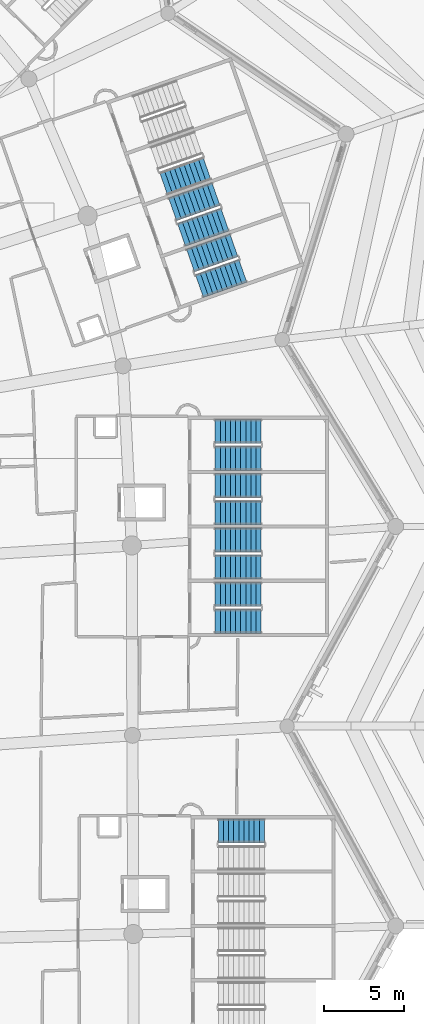
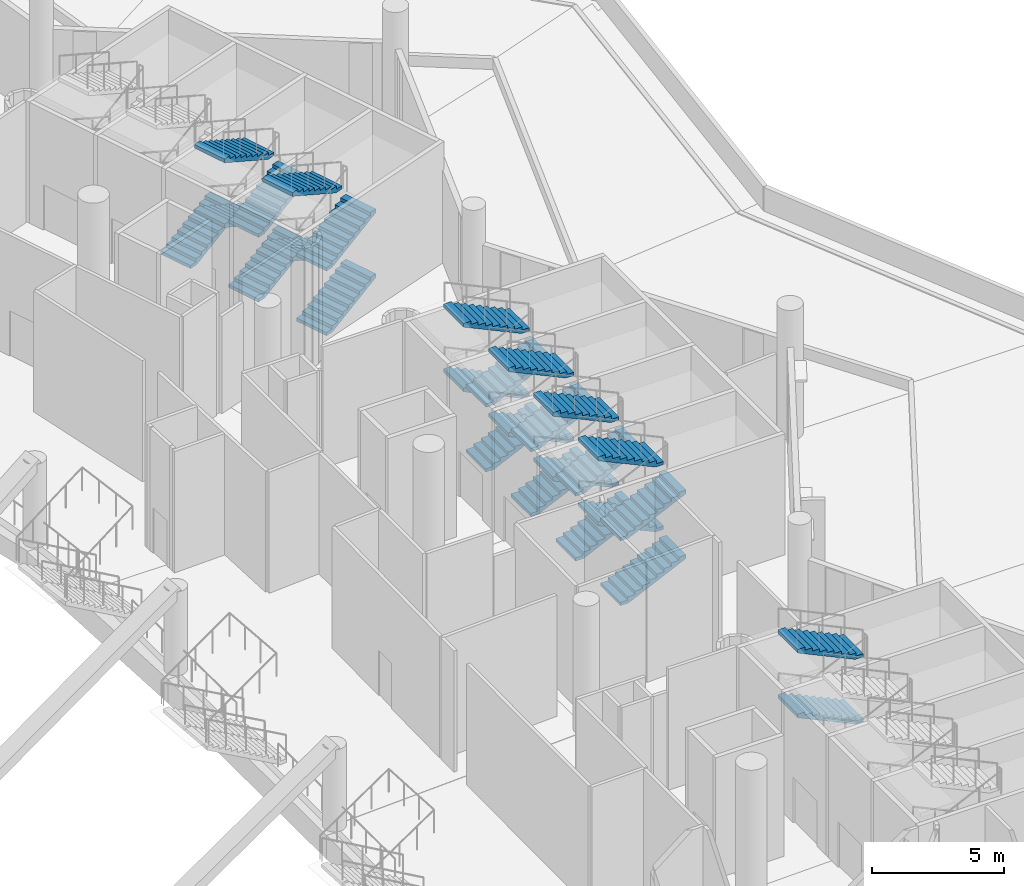
# One storey, part 99 of 173: 27 stair flights, 8 elements without a shape of their own.
"""IFC4 building model written with IfcOpenShell, lengths in metres."""

from ifc_helpers import new_model, si_unit, direction, frame, origin, place, context, subcontext, project, spatial, polyline, outline, extrude, material, type_object, element, aggregate, save


model = new_model("IFC4")

# Units and contexts
model_context = context("Model", 3, precision=1e-05, world=origin(), true_north=direction((0.0, 1.0)))
body_context = subcontext(model_context, "Body", "Model", "MODEL_VIEW")
ifc_project = project(units=[si_unit("LENGTHUNIT", "METRE"), si_unit("AREAUNIT", "SQUARE_METRE"), si_unit("VOLUMEUNIT", "CUBIC_METRE"), si_unit("PLANEANGLEUNIT", "RADIAN"), si_unit("MASSUNIT", "GRAM", prefix="KILO")], contexts=[model_context])

# Site, building, storey
site_placement = place(None, origin())
site = spatial("IfcSite", under=ifc_project, at=site_placement, CompositionType="ELEMENT")
building_placement = place(site_placement, origin())
building = spatial("IfcBuilding", under=site, at=building_placement, Name="Meseta Stadium", CompositionType="ELEMENT")
storey_placement = place(building_placement, frame((0.0, 0.0, 18.0)))
storey = spatial("IfcBuildingStorey", under=building, at=storey_placement, Name="L03", CompositionType="ELEMENT", Elevation=18.0)

# Stair, stair flights
ifc_material_1 = material(Name="Concrete C40/50", Category="concrete")
stair_type = type_object("IfcStairType", Name="Exit stair 4 flights 150 mm risers", PredefinedType="HALF_TURN_STAIR", material=ifc_material_1)
stair_1_placement = place(storey_placement, origin())
stair_1 = element("IfcStair", 1, at=stair_1_placement, inside=storey, type_object=stair_type, Name="ST16 L03", PredefinedType="HALF_TURN_STAIR")
ifc_material_2 = material(Name="Concrete C40/50", Category="concrete")
stair_flight_type = type_object("IfcStairFlightType", Name="Exit stair flight 150 mm risers, 4 per storey", PredefinedType="STRAIGHT", material=ifc_material_2)
stair_flight_1_placement = place(storey_placement, frame((93.179931640625, 24.699951171875, 1.5), z_axis=(0.0, 0.0, 1.0), x_axis=(-1.0, 0.0, 0.0)))
stair_flight_1 = element("IfcStairFlight", 2, at=stair_flight_1_placement, type_object=stair_flight_type, Name="ST16 L03 flight 2", NumberOfRisers=10, NumberOfTreads=9, PredefinedType="STRAIGHT", RiserHeight=0.15, TreadLength=0.32, context=body_context, shape_type="SweptSolid", body=[
    extrude(outline(polyline([(0.0, 0.0), (0.0, 0.14990234375), (0.320068359375, 0.14990234375), (0.320068359375, 0.300048828125), (0.639892578125, 0.300048828125), (0.639892578125, 0.449951171875), (0.9599609375, 0.449951171875), (0.9599609375, 0.60009765625), (1.280029296875, 0.60009765625), (1.280029296875, 0.75), (1.60009765625, 0.75), (1.60009765625, 0.89990234375), (1.919921875, 0.89990234375), (1.919921875, 1.050048828125), (2.239990234375, 1.050048828125), (2.239990234375, 1.199951171875), (2.56005859375, 1.199951171875), (2.56005859375, 1.35009765625), (2.8798828125, 1.35009765625), (2.8798828125, 1.184326171875), (0.353271484375, 0.0), (0.0, 0.0)])), frame((0.0, 0.75, 0.0), z_axis=(0.0, -1.0, 0.0), x_axis=(1.0, 0.0, 0.0)), (0.0, 0.0, 1.0), 1.5),
])
stair_flight_2_placement = place(storey_placement, frame((93.179931640625, 24.699951171875, 4.5), z_axis=(0.0, 0.0, 1.0), x_axis=(-1.0, 0.0, 0.0)))
stair_flight_2 = element("IfcStairFlight", 3, at=stair_flight_2_placement, type_object=stair_flight_type, Name="ST16 L03 flight 4", NumberOfRisers=10, NumberOfTreads=9, PredefinedType="STRAIGHT", RiserHeight=0.15, TreadLength=0.32, context=body_context, shape_type="SweptSolid", body=[
    extrude(outline(polyline([(0.0, 0.0), (0.0, 0.14990234375), (0.320068359375, 0.14990234375), (0.320068359375, 0.300048828125), (0.639892578125, 0.300048828125), (0.639892578125, 0.449951171875), (0.9599609375, 0.449951171875), (0.9599609375, 0.60009765625), (1.280029296875, 0.60009765625), (1.280029296875, 0.75), (1.60009765625, 0.75), (1.60009765625, 0.89990234375), (1.919921875, 0.89990234375), (1.919921875, 1.050048828125), (2.239990234375, 1.050048828125), (2.239990234375, 1.199951171875), (2.56005859375, 1.199951171875), (2.56005859375, 1.35009765625), (2.8798828125, 1.35009765625), (2.8798828125, 1.184326171875), (0.353271484375, 0.0), (0.0, 0.0)])), frame((0.0, 0.75, 0.0), z_axis=(0.0, -1.0, 0.0), x_axis=(1.0, 0.0, 0.0)), (0.0, 0.0, 1.0), 1.5),
])
aggregate(stair_1, [stair_flight_1, stair_flight_2])

stair_2_placement = place(storey_placement, origin())
stair_2 = element("IfcStair", 4, at=stair_2_placement, inside=storey, type_object=stair_type, Name="ST17 L03", PredefinedType="HALF_TURN_STAIR")
stair_flight_3_placement = place(storey_placement, frame((90.10009765625, 37.800048828125, 0.0), z_axis=(0.0, 0.0, 1.0), x_axis=(1.0, 0.0, 0.0)))
stair_flight_3 = element("IfcStairFlight", 5, at=stair_flight_3_placement, type_object=stair_flight_type, Name="ST17 L03 flight 1", NumberOfRisers=10, NumberOfTreads=9, PredefinedType="STRAIGHT", RiserHeight=0.15, TreadLength=0.32, context=body_context, shape_type="SweptSolid", body=[
    extrude(outline(polyline([(0.0, 0.0), (0.0, 0.14990234375), (0.320068359375, 0.14990234375), (0.320068359375, 0.300048828125), (0.639892578125, 0.300048828125), (0.639892578125, 0.449951171875), (0.9599609375, 0.449951171875), (0.9599609375, 0.60009765625), (1.280029296875, 0.60009765625), (1.280029296875, 0.75), (1.60009765625, 0.75), (1.60009765625, 0.89990234375), (1.919921875, 0.89990234375), (1.919921875, 1.050048828125), (2.239990234375, 1.050048828125), (2.239990234375, 1.199951171875), (2.56005859375, 1.199951171875), (2.56005859375, 1.35009765625), (2.8798828125, 1.35009765625), (2.8798828125, 1.184326171875), (0.353271484375, 0.0), (0.0, 0.0)])), frame((0.0, 0.75, 0.0), z_axis=(0.0, -1.0, 0.0), x_axis=(1.0, 0.0, 0.0)), (0.0, 0.0, 1.0), 1.5),
])
stair_flight_4_placement = place(storey_placement, frame((92.97998046875, 39.5, 1.5), z_axis=(0.0, 0.0, 1.0), x_axis=(-1.0, 0.0, 0.0)))
stair_flight_4 = element("IfcStairFlight", 6, at=stair_flight_4_placement, type_object=stair_flight_type, Name="ST17 L03 flight 2", NumberOfRisers=10, NumberOfTreads=9, PredefinedType="STRAIGHT", RiserHeight=0.15, TreadLength=0.32, context=body_context, shape_type="SweptSolid", body=[
    extrude(outline(polyline([(0.0, 0.0), (0.0, 0.14990234375), (0.320068359375, 0.14990234375), (0.320068359375, 0.300048828125), (0.639892578125, 0.300048828125), (0.639892578125, 0.449951171875), (0.9599609375, 0.449951171875), (0.9599609375, 0.60009765625), (1.280029296875, 0.60009765625), (1.280029296875, 0.75), (1.60009765625, 0.75), (1.60009765625, 0.89990234375), (1.919921875, 0.89990234375), (1.919921875, 1.050048828125), (2.239990234375, 1.050048828125), (2.239990234375, 1.199951171875), (2.56005859375, 1.199951171875), (2.56005859375, 1.35009765625), (2.8798828125, 1.35009765625), (2.8798828125, 1.184326171875), (0.353271484375, 0.0), (0.0, 0.0)])), frame((0.0, 0.75, 0.0), z_axis=(0.0, -1.0, 0.0), x_axis=(1.0, 0.0, 0.0)), (0.0, 0.0, 1.0), 1.5),
])
stair_flight_5_placement = place(storey_placement, frame((90.10009765625, 37.800048828125, 3.0), z_axis=(0.0, 0.0, 1.0), x_axis=(1.0, 0.0, 0.0)))
stair_flight_5 = element("IfcStairFlight", 7, at=stair_flight_5_placement, type_object=stair_flight_type, Name="ST17 L03 flight 3", NumberOfRisers=10, NumberOfTreads=9, PredefinedType="STRAIGHT", RiserHeight=0.15, TreadLength=0.32, context=body_context, shape_type="SweptSolid", body=[
    extrude(outline(polyline([(0.0, 0.0), (0.0, 0.14990234375), (0.320068359375, 0.14990234375), (0.320068359375, 0.300048828125), (0.639892578125, 0.300048828125), (0.639892578125, 0.449951171875), (0.9599609375, 0.449951171875), (0.9599609375, 0.60009765625), (1.280029296875, 0.60009765625), (1.280029296875, 0.75), (1.60009765625, 0.75), (1.60009765625, 0.89990234375), (1.919921875, 0.89990234375), (1.919921875, 1.050048828125), (2.239990234375, 1.050048828125), (2.239990234375, 1.199951171875), (2.56005859375, 1.199951171875), (2.56005859375, 1.35009765625), (2.8798828125, 1.35009765625), (2.8798828125, 1.184326171875), (0.353271484375, 0.0), (0.0, 0.0)])), frame((0.0, 0.75, 0.0), z_axis=(0.0, -1.0, 0.0), x_axis=(1.0, 0.0, 0.0)), (0.0, 0.0, 1.0), 1.5),
])
stair_flight_6_placement = place(storey_placement, frame((92.97998046875, 39.5, 4.5), z_axis=(0.0, 0.0, 1.0), x_axis=(-1.0, 0.0, 0.0)))
stair_flight_6 = element("IfcStairFlight", 8, at=stair_flight_6_placement, type_object=stair_flight_type, Name="ST17 L03 flight 4", NumberOfRisers=10, NumberOfTreads=9, PredefinedType="STRAIGHT", RiserHeight=0.15, TreadLength=0.32, context=body_context, shape_type="SweptSolid", body=[
    extrude(outline(polyline([(0.0, 0.0), (0.0, 0.14990234375), (0.320068359375, 0.14990234375), (0.320068359375, 0.300048828125), (0.639892578125, 0.300048828125), (0.639892578125, 0.449951171875), (0.9599609375, 0.449951171875), (0.9599609375, 0.60009765625), (1.280029296875, 0.60009765625), (1.280029296875, 0.75), (1.60009765625, 0.75), (1.60009765625, 0.89990234375), (1.919921875, 0.89990234375), (1.919921875, 1.050048828125), (2.239990234375, 1.050048828125), (2.239990234375, 1.199951171875), (2.56005859375, 1.199951171875), (2.56005859375, 1.35009765625), (2.8798828125, 1.35009765625), (2.8798828125, 1.184326171875), (0.353271484375, 0.0), (0.0, 0.0)])), frame((0.0, 0.75, 0.0), z_axis=(0.0, -1.0, 0.0), x_axis=(1.0, 0.0, 0.0)), (0.0, 0.0, 1.0), 1.5),
])
aggregate(stair_2, [stair_flight_3, stair_flight_4, stair_flight_5, stair_flight_6])

stair_3_placement = place(storey_placement, origin())
stair_3 = element("IfcStair", 9, at=stair_3_placement, inside=storey, type_object=stair_type, Name="ST18 L03", PredefinedType="HALF_TURN_STAIR")
stair_flight_7_placement = place(storey_placement, frame((90.10009765625, 41.199951171875, 0.0), z_axis=(0.0, 0.0, 1.0), x_axis=(1.0, 0.0, 0.0)))
stair_flight_7 = element("IfcStairFlight", 10, at=stair_flight_7_placement, type_object=stair_flight_type, Name="ST18 L03 flight 1", NumberOfRisers=10, NumberOfTreads=9, PredefinedType="STRAIGHT", RiserHeight=0.15, TreadLength=0.32, context=body_context, shape_type="SweptSolid", body=[
    extrude(outline(polyline([(0.0, 0.0), (0.0, 0.14990234375), (0.320068359375, 0.14990234375), (0.320068359375, 0.300048828125), (0.639892578125, 0.300048828125), (0.639892578125, 0.449951171875), (0.9599609375, 0.449951171875), (0.9599609375, 0.60009765625), (1.280029296875, 0.60009765625), (1.280029296875, 0.75), (1.60009765625, 0.75), (1.60009765625, 0.89990234375), (1.919921875, 0.89990234375), (1.919921875, 1.050048828125), (2.239990234375, 1.050048828125), (2.239990234375, 1.199951171875), (2.56005859375, 1.199951171875), (2.56005859375, 1.35009765625), (2.8798828125, 1.35009765625), (2.8798828125, 1.184326171875), (0.353271484375, 0.0), (0.0, 0.0)])), frame((0.0, 0.75, 0.0), z_axis=(0.0, -1.0, 0.0), x_axis=(1.0, 0.0, 0.0)), (0.0, 0.0, 1.0), 1.5),
])
stair_flight_8_placement = place(storey_placement, frame((92.97998046875, 42.89990234375, 1.5), z_axis=(0.0, 0.0, 1.0), x_axis=(-1.0, 0.0, 0.0)))
stair_flight_8 = element("IfcStairFlight", 11, at=stair_flight_8_placement, type_object=stair_flight_type, Name="ST18 L03 flight 2", NumberOfRisers=10, NumberOfTreads=9, PredefinedType="STRAIGHT", RiserHeight=0.15, TreadLength=0.32, context=body_context, shape_type="SweptSolid", body=[
    extrude(outline(polyline([(0.0, 0.0), (0.0, 0.14990234375), (0.320068359375, 0.14990234375), (0.320068359375, 0.300048828125), (0.639892578125, 0.300048828125), (0.639892578125, 0.449951171875), (0.9599609375, 0.449951171875), (0.9599609375, 0.60009765625), (1.280029296875, 0.60009765625), (1.280029296875, 0.75), (1.60009765625, 0.75), (1.60009765625, 0.89990234375), (1.919921875, 0.89990234375), (1.919921875, 1.050048828125), (2.239990234375, 1.050048828125), (2.239990234375, 1.199951171875), (2.56005859375, 1.199951171875), (2.56005859375, 1.35009765625), (2.8798828125, 1.35009765625), (2.8798828125, 1.184326171875), (0.353271484375, 0.0), (0.0, 0.0)])), frame((0.0, 0.75, 0.0), z_axis=(0.0, -1.0, 0.0), x_axis=(1.0, 0.0, 0.0)), (0.0, 0.0, 1.0), 1.5),
])
stair_flight_9_placement = place(storey_placement, frame((90.10009765625, 41.199951171875, 3.0), z_axis=(0.0, 0.0, 1.0), x_axis=(1.0, 0.0, 0.0)))
stair_flight_9 = element("IfcStairFlight", 12, at=stair_flight_9_placement, type_object=stair_flight_type, Name="ST18 L03 flight 3", NumberOfRisers=10, NumberOfTreads=9, PredefinedType="STRAIGHT", RiserHeight=0.15, TreadLength=0.32, context=body_context, shape_type="SweptSolid", body=[
    extrude(outline(polyline([(0.0, 0.0), (0.0, 0.14990234375), (0.320068359375, 0.14990234375), (0.320068359375, 0.300048828125), (0.639892578125, 0.300048828125), (0.639892578125, 0.449951171875), (0.9599609375, 0.449951171875), (0.9599609375, 0.60009765625), (1.280029296875, 0.60009765625), (1.280029296875, 0.75), (1.60009765625, 0.75), (1.60009765625, 0.89990234375), (1.919921875, 0.89990234375), (1.919921875, 1.050048828125), (2.239990234375, 1.050048828125), (2.239990234375, 1.199951171875), (2.56005859375, 1.199951171875), (2.56005859375, 1.35009765625), (2.8798828125, 1.35009765625), (2.8798828125, 1.184326171875), (0.353271484375, 0.0), (0.0, 0.0)])), frame((0.0, 0.75, 0.0), z_axis=(0.0, -1.0, 0.0), x_axis=(1.0, 0.0, 0.0)), (0.0, 0.0, 1.0), 1.5),
])
stair_flight_10_placement = place(storey_placement, frame((92.97998046875, 42.89990234375, 4.5), z_axis=(0.0, 0.0, 1.0), x_axis=(-1.0, 0.0, 0.0)))
stair_flight_10 = element("IfcStairFlight", 13, at=stair_flight_10_placement, type_object=stair_flight_type, Name="ST18 L03 flight 4", NumberOfRisers=10, NumberOfTreads=9, PredefinedType="STRAIGHT", RiserHeight=0.15, TreadLength=0.32, context=body_context, shape_type="SweptSolid", body=[
    extrude(outline(polyline([(0.0, 0.0), (0.0, 0.14990234375), (0.320068359375, 0.14990234375), (0.320068359375, 0.300048828125), (0.639892578125, 0.300048828125), (0.639892578125, 0.449951171875), (0.9599609375, 0.449951171875), (0.9599609375, 0.60009765625), (1.280029296875, 0.60009765625), (1.280029296875, 0.75), (1.60009765625, 0.75), (1.60009765625, 0.89990234375), (1.919921875, 0.89990234375), (1.919921875, 1.050048828125), (2.239990234375, 1.050048828125), (2.239990234375, 1.199951171875), (2.56005859375, 1.199951171875), (2.56005859375, 1.35009765625), (2.8798828125, 1.35009765625), (2.8798828125, 1.184326171875), (0.353271484375, 0.0), (0.0, 0.0)])), frame((0.0, 0.75, 0.0), z_axis=(0.0, -1.0, 0.0), x_axis=(1.0, 0.0, 0.0)), (0.0, 0.0, 1.0), 1.5),
])
aggregate(stair_3, [stair_flight_7, stair_flight_8, stair_flight_9, stair_flight_10])

stair_4_placement = place(storey_placement, origin())
stair_4 = element("IfcStair", 14, at=stair_4_placement, inside=storey, type_object=stair_type, Name="ST19 L03", PredefinedType="HALF_TURN_STAIR")
stair_flight_11_placement = place(storey_placement, frame((90.10009765625, 44.60009765625, 0.0), z_axis=(0.0, 0.0, 1.0), x_axis=(1.0, 0.0, 0.0)))
stair_flight_11 = element("IfcStairFlight", 15, at=stair_flight_11_placement, type_object=stair_flight_type, Name="ST19 L03 flight 1", NumberOfRisers=10, NumberOfTreads=9, PredefinedType="STRAIGHT", RiserHeight=0.15, TreadLength=0.32, context=body_context, shape_type="SweptSolid", body=[
    extrude(outline(polyline([(0.0, 0.0), (0.0, 0.14990234375), (0.320068359375, 0.14990234375), (0.320068359375, 0.300048828125), (0.639892578125, 0.300048828125), (0.639892578125, 0.449951171875), (0.9599609375, 0.449951171875), (0.9599609375, 0.60009765625), (1.280029296875, 0.60009765625), (1.280029296875, 0.75), (1.60009765625, 0.75), (1.60009765625, 0.89990234375), (1.919921875, 0.89990234375), (1.919921875, 1.050048828125), (2.239990234375, 1.050048828125), (2.239990234375, 1.199951171875), (2.56005859375, 1.199951171875), (2.56005859375, 1.35009765625), (2.8798828125, 1.35009765625), (2.8798828125, 1.184326171875), (0.353271484375, 0.0), (0.0, 0.0)])), frame((0.0, 0.75, 0.0), z_axis=(0.0, -1.0, 0.0), x_axis=(1.0, 0.0, 0.0)), (0.0, 0.0, 1.0), 1.5),
])
stair_flight_12_placement = place(storey_placement, frame((92.97998046875, 46.300048828125, 1.5), z_axis=(0.0, 0.0, 1.0), x_axis=(-1.0, 0.0, 0.0)))
stair_flight_12 = element("IfcStairFlight", 16, at=stair_flight_12_placement, type_object=stair_flight_type, Name="ST19 L03 flight 2", NumberOfRisers=10, NumberOfTreads=9, PredefinedType="STRAIGHT", RiserHeight=0.15, TreadLength=0.32, context=body_context, shape_type="SweptSolid", body=[
    extrude(outline(polyline([(0.0, 0.0), (0.0, 0.14990234375), (0.320068359375, 0.14990234375), (0.320068359375, 0.300048828125), (0.639892578125, 0.300048828125), (0.639892578125, 0.449951171875), (0.9599609375, 0.449951171875), (0.9599609375, 0.60009765625), (1.280029296875, 0.60009765625), (1.280029296875, 0.75), (1.60009765625, 0.75), (1.60009765625, 0.89990234375), (1.919921875, 0.89990234375), (1.919921875, 1.050048828125), (2.239990234375, 1.050048828125), (2.239990234375, 1.199951171875), (2.56005859375, 1.199951171875), (2.56005859375, 1.35009765625), (2.8798828125, 1.35009765625), (2.8798828125, 1.184326171875), (0.353271484375, 0.0), (0.0, 0.0)])), frame((0.0, 0.75, 0.0), z_axis=(0.0, -1.0, 0.0), x_axis=(1.0, 0.0, 0.0)), (0.0, 0.0, 1.0), 1.5),
])
stair_flight_13_placement = place(storey_placement, frame((90.10009765625, 44.60009765625, 3.0), z_axis=(0.0, 0.0, 1.0), x_axis=(1.0, 0.0, 0.0)))
stair_flight_13 = element("IfcStairFlight", 17, at=stair_flight_13_placement, type_object=stair_flight_type, Name="ST19 L03 flight 3", NumberOfRisers=10, NumberOfTreads=9, PredefinedType="STRAIGHT", RiserHeight=0.15, TreadLength=0.32, context=body_context, shape_type="SweptSolid", body=[
    extrude(outline(polyline([(0.0, 0.0), (0.0, 0.14990234375), (0.320068359375, 0.14990234375), (0.320068359375, 0.300048828125), (0.639892578125, 0.300048828125), (0.639892578125, 0.449951171875), (0.9599609375, 0.449951171875), (0.9599609375, 0.60009765625), (1.280029296875, 0.60009765625), (1.280029296875, 0.75), (1.60009765625, 0.75), (1.60009765625, 0.89990234375), (1.919921875, 0.89990234375), (1.919921875, 1.050048828125), (2.239990234375, 1.050048828125), (2.239990234375, 1.199951171875), (2.56005859375, 1.199951171875), (2.56005859375, 1.35009765625), (2.8798828125, 1.35009765625), (2.8798828125, 1.184326171875), (0.353271484375, 0.0), (0.0, 0.0)])), frame((0.0, 0.75, 0.0), z_axis=(0.0, -1.0, 0.0), x_axis=(1.0, 0.0, 0.0)), (0.0, 0.0, 1.0), 1.5),
])
stair_flight_14_placement = place(storey_placement, frame((92.97998046875, 46.300048828125, 4.5), z_axis=(0.0, 0.0, 1.0), x_axis=(-1.0, 0.0, 0.0)))
stair_flight_14 = element("IfcStairFlight", 18, at=stair_flight_14_placement, type_object=stair_flight_type, Name="ST19 L03 flight 4", NumberOfRisers=10, NumberOfTreads=9, PredefinedType="STRAIGHT", RiserHeight=0.15, TreadLength=0.32, context=body_context, shape_type="SweptSolid", body=[
    extrude(outline(polyline([(0.0, 0.0), (0.0, 0.14990234375), (0.320068359375, 0.14990234375), (0.320068359375, 0.300048828125), (0.639892578125, 0.300048828125), (0.639892578125, 0.449951171875), (0.9599609375, 0.449951171875), (0.9599609375, 0.60009765625), (1.280029296875, 0.60009765625), (1.280029296875, 0.75), (1.60009765625, 0.75), (1.60009765625, 0.89990234375), (1.919921875, 0.89990234375), (1.919921875, 1.050048828125), (2.239990234375, 1.050048828125), (2.239990234375, 1.199951171875), (2.56005859375, 1.199951171875), (2.56005859375, 1.35009765625), (2.8798828125, 1.35009765625), (2.8798828125, 1.184326171875), (0.353271484375, 0.0), (0.0, 0.0)])), frame((0.0, 0.75, 0.0), z_axis=(0.0, -1.0, 0.0), x_axis=(1.0, 0.0, 0.0)), (0.0, 0.0, 1.0), 1.5),
])
aggregate(stair_4, [stair_flight_11, stair_flight_12, stair_flight_13, stair_flight_14])

stair_5_placement = place(storey_placement, origin())
stair_5 = element("IfcStair", 19, at=stair_5_placement, inside=storey, type_object=stair_type, Name="ST20 L03", PredefinedType="HALF_TURN_STAIR")
stair_flight_15_placement = place(storey_placement, frame((90.10009765625, 48.0, 0.0), z_axis=(0.0, 0.0, 1.0), x_axis=(1.0, 0.0, 0.0)))
stair_flight_15 = element("IfcStairFlight", 20, at=stair_flight_15_placement, type_object=stair_flight_type, Name="ST20 L03 flight 1", NumberOfRisers=10, NumberOfTreads=9, PredefinedType="STRAIGHT", RiserHeight=0.15, TreadLength=0.32, context=body_context, shape_type="SweptSolid", body=[
    extrude(outline(polyline([(0.0, 0.0), (0.0, 0.14990234375), (0.320068359375, 0.14990234375), (0.320068359375, 0.300048828125), (0.639892578125, 0.300048828125), (0.639892578125, 0.449951171875), (0.9599609375, 0.449951171875), (0.9599609375, 0.60009765625), (1.280029296875, 0.60009765625), (1.280029296875, 0.75), (1.60009765625, 0.75), (1.60009765625, 0.89990234375), (1.919921875, 0.89990234375), (1.919921875, 1.050048828125), (2.239990234375, 1.050048828125), (2.239990234375, 1.199951171875), (2.56005859375, 1.199951171875), (2.56005859375, 1.35009765625), (2.8798828125, 1.35009765625), (2.8798828125, 1.184326171875), (0.353271484375, 0.0), (0.0, 0.0)])), frame((0.0, 0.75, 0.0), z_axis=(0.0, -1.0, 0.0), x_axis=(1.0, 0.0, 0.0)), (0.0, 0.0, 1.0), 1.5),
])
stair_flight_16_placement = place(storey_placement, frame((92.97998046875, 49.699951171875, 1.5), z_axis=(0.0, 0.0, 1.0), x_axis=(-1.0, 0.0, 0.0)))
stair_flight_16 = element("IfcStairFlight", 21, at=stair_flight_16_placement, type_object=stair_flight_type, Name="ST20 L03 flight 2", NumberOfRisers=10, NumberOfTreads=9, PredefinedType="STRAIGHT", RiserHeight=0.15, TreadLength=0.32, context=body_context, shape_type="SweptSolid", body=[
    extrude(outline(polyline([(0.0, 0.0), (0.0, 0.14990234375), (0.320068359375, 0.14990234375), (0.320068359375, 0.300048828125), (0.639892578125, 0.300048828125), (0.639892578125, 0.449951171875), (0.9599609375, 0.449951171875), (0.9599609375, 0.60009765625), (1.280029296875, 0.60009765625), (1.280029296875, 0.75), (1.60009765625, 0.75), (1.60009765625, 0.89990234375), (1.919921875, 0.89990234375), (1.919921875, 1.050048828125), (2.239990234375, 1.050048828125), (2.239990234375, 1.199951171875), (2.56005859375, 1.199951171875), (2.56005859375, 1.35009765625), (2.8798828125, 1.35009765625), (2.8798828125, 1.184326171875), (0.353271484375, 0.0), (0.0, 0.0)])), frame((0.0, 0.75, 0.0), z_axis=(0.0, -1.0, 0.0), x_axis=(1.0, 0.0, 0.0)), (0.0, 0.0, 1.0), 1.5),
])
stair_flight_17_placement = place(storey_placement, frame((90.10009765625, 48.0, 3.0), z_axis=(0.0, 0.0, 1.0), x_axis=(1.0, 0.0, 0.0)))
stair_flight_17 = element("IfcStairFlight", 22, at=stair_flight_17_placement, type_object=stair_flight_type, Name="ST20 L03 flight 3", NumberOfRisers=10, NumberOfTreads=9, PredefinedType="STRAIGHT", RiserHeight=0.15, TreadLength=0.32, context=body_context, shape_type="SweptSolid", body=[
    extrude(outline(polyline([(0.0, 0.0), (0.0, 0.14990234375), (0.320068359375, 0.14990234375), (0.320068359375, 0.300048828125), (0.639892578125, 0.300048828125), (0.639892578125, 0.449951171875), (0.9599609375, 0.449951171875), (0.9599609375, 0.60009765625), (1.280029296875, 0.60009765625), (1.280029296875, 0.75), (1.60009765625, 0.75), (1.60009765625, 0.89990234375), (1.919921875, 0.89990234375), (1.919921875, 1.050048828125), (2.239990234375, 1.050048828125), (2.239990234375, 1.199951171875), (2.56005859375, 1.199951171875), (2.56005859375, 1.35009765625), (2.8798828125, 1.35009765625), (2.8798828125, 1.184326171875), (0.353271484375, 0.0), (0.0, 0.0)])), frame((0.0, 0.75, 0.0), z_axis=(0.0, -1.0, 0.0), x_axis=(1.0, 0.0, 0.0)), (0.0, 0.0, 1.0), 1.5),
])
stair_flight_18_placement = place(storey_placement, frame((92.97998046875, 49.699951171875, 4.5), z_axis=(0.0, 0.0, 1.0), x_axis=(-1.0, 0.0, 0.0)))
stair_flight_18 = element("IfcStairFlight", 23, at=stair_flight_18_placement, type_object=stair_flight_type, Name="ST20 L03 flight 4", NumberOfRisers=10, NumberOfTreads=9, PredefinedType="STRAIGHT", RiserHeight=0.15, TreadLength=0.32, context=body_context, shape_type="SweptSolid", body=[
    extrude(outline(polyline([(0.0, 0.0), (0.0, 0.14990234375), (0.320068359375, 0.14990234375), (0.320068359375, 0.300048828125), (0.639892578125, 0.300048828125), (0.639892578125, 0.449951171875), (0.9599609375, 0.449951171875), (0.9599609375, 0.60009765625), (1.280029296875, 0.60009765625), (1.280029296875, 0.75), (1.60009765625, 0.75), (1.60009765625, 0.89990234375), (1.919921875, 0.89990234375), (1.919921875, 1.050048828125), (2.239990234375, 1.050048828125), (2.239990234375, 1.199951171875), (2.56005859375, 1.199951171875), (2.56005859375, 1.35009765625), (2.8798828125, 1.35009765625), (2.8798828125, 1.184326171875), (0.353271484375, 0.0), (0.0, 0.0)])), frame((0.0, 0.75, 0.0), z_axis=(0.0, -1.0, 0.0), x_axis=(1.0, 0.0, 0.0)), (0.0, 0.0, 1.0), 1.5),
])
aggregate(stair_5, [stair_flight_15, stair_flight_16, stair_flight_17, stair_flight_18])

stair_6_placement = place(storey_placement, origin())
stair_6 = element("IfcStair", 24, at=stair_6_placement, inside=storey, type_object=stair_type, Name="ST21 L03", PredefinedType="HALF_TURN_STAIR")
stair_flight_19_placement = place(storey_placement, frame((89.118408203125, 58.7841796875, 0.0), z_axis=(0.0, 0.0, 1.0), x_axis=(0.943883331955, 0.330279057248, 0.0)))
stair_flight_19 = element("IfcStairFlight", 25, at=stair_flight_19_placement, type_object=stair_flight_type, Name="ST21 L03 flight 1", NumberOfRisers=10, NumberOfTreads=9, PredefinedType="STRAIGHT", RiserHeight=0.15, TreadLength=0.32, context=body_context, shape_type="SweptSolid", body=[
    extrude(outline(polyline([(0.0, 0.0), (0.0, 0.14990234375), (0.320068359375, 0.14990234375), (0.320068359375, 0.300048828125), (0.639892578125, 0.300048828125), (0.639892578125, 0.449951171875), (0.9599609375, 0.449951171875), (0.9599609375, 0.60009765625), (1.280029296875, 0.60009765625), (1.280029296875, 0.75), (1.60009765625, 0.75), (1.60009765625, 0.89990234375), (1.919921875, 0.89990234375), (1.919921875, 1.050048828125), (2.239990234375, 1.050048828125), (2.239990234375, 1.199951171875), (2.56005859375, 1.199951171875), (2.56005859375, 1.35009765625), (2.8798828125, 1.35009765625), (2.8798828125, 1.184326171875), (0.353271484375, 0.0), (0.0, 0.0)])), frame((0.0, 0.75, 0.0), z_axis=(0.0, -1.0, 0.0), x_axis=(1.0, 0.0, 0.0)), (0.0, 0.0, 1.0), 1.5),
])
stair_flight_20_placement = place(storey_placement, frame((91.275390625, 61.33984375, 1.5), z_axis=(0.0, 0.0, 1.0), x_axis=(-0.943883331955, -0.330279057248, 0.0)))
stair_flight_20 = element("IfcStairFlight", 26, at=stair_flight_20_placement, type_object=stair_flight_type, Name="ST21 L03 flight 2", NumberOfRisers=10, NumberOfTreads=9, PredefinedType="STRAIGHT", RiserHeight=0.15, TreadLength=0.32, context=body_context, shape_type="SweptSolid", body=[
    extrude(outline(polyline([(0.0, 0.0), (0.0, 0.14990234375), (0.320068359375, 0.14990234375), (0.320068359375, 0.300048828125), (0.639892578125, 0.300048828125), (0.639892578125, 0.449951171875), (0.9599609375, 0.449951171875), (0.9599609375, 0.60009765625), (1.280029296875, 0.60009765625), (1.280029296875, 0.75), (1.60009765625, 0.75), (1.60009765625, 0.89990234375), (1.919921875, 0.89990234375), (1.919921875, 1.050048828125), (2.239990234375, 1.050048828125), (2.239990234375, 1.199951171875), (2.56005859375, 1.199951171875), (2.56005859375, 1.35009765625), (2.8798828125, 1.35009765625), (2.8798828125, 1.184326171875), (0.353271484375, 0.0), (0.0, 0.0)])), frame((0.0, 0.75, 0.0), z_axis=(0.0, -1.0, 0.0), x_axis=(1.0, 0.0, 0.0)), (0.0, 0.0, 1.0), 1.5),
])
stair_flight_21_placement = place(storey_placement, frame((89.118408203125, 58.7841796875, 3.0), z_axis=(0.0, 0.0, 1.0), x_axis=(0.943883331955, 0.330279057248, 0.0)))
stair_flight_21 = element("IfcStairFlight", 27, at=stair_flight_21_placement, type_object=stair_flight_type, Name="ST21 L03 flight 3", NumberOfRisers=10, NumberOfTreads=9, PredefinedType="STRAIGHT", RiserHeight=0.15, TreadLength=0.32, context=body_context, shape_type="SweptSolid", body=[
    extrude(outline(polyline([(0.0, 0.0), (0.0, 0.14990234375), (0.320068359375, 0.14990234375), (0.320068359375, 0.300048828125), (0.639892578125, 0.300048828125), (0.639892578125, 0.449951171875), (0.9599609375, 0.449951171875), (0.9599609375, 0.60009765625), (1.280029296875, 0.60009765625), (1.280029296875, 0.75), (1.60009765625, 0.75), (1.60009765625, 0.89990234375), (1.919921875, 0.89990234375), (1.919921875, 1.050048828125), (2.239990234375, 1.050048828125), (2.239990234375, 1.199951171875), (2.56005859375, 1.199951171875), (2.56005859375, 1.35009765625), (2.8798828125, 1.35009765625), (2.8798828125, 1.184326171875), (0.353271484375, 0.0), (0.0, 0.0)])), frame((0.0, 0.75, 0.0), z_axis=(0.0, -1.0, 0.0), x_axis=(1.0, 0.0, 0.0)), (0.0, 0.0, 1.0), 1.5),
])
stair_flight_22_placement = place(storey_placement, frame((91.275390625, 61.33984375, 4.5), z_axis=(0.0, 0.0, 1.0), x_axis=(-0.943883331955, -0.330279057248, 0.0)))
stair_flight_22 = element("IfcStairFlight", 28, at=stair_flight_22_placement, type_object=stair_flight_type, Name="ST21 L03 flight 4", NumberOfRisers=10, NumberOfTreads=9, PredefinedType="STRAIGHT", RiserHeight=0.15, TreadLength=0.32, context=body_context, shape_type="SweptSolid", body=[
    extrude(outline(polyline([(0.0, 0.0), (0.0, 0.14990234375), (0.320068359375, 0.14990234375), (0.320068359375, 0.300048828125), (0.639892578125, 0.300048828125), (0.639892578125, 0.449951171875), (0.9599609375, 0.449951171875), (0.9599609375, 0.60009765625), (1.280029296875, 0.60009765625), (1.280029296875, 0.75), (1.60009765625, 0.75), (1.60009765625, 0.89990234375), (1.919921875, 0.89990234375), (1.919921875, 1.050048828125), (2.239990234375, 1.050048828125), (2.239990234375, 1.199951171875), (2.56005859375, 1.199951171875), (2.56005859375, 1.35009765625), (2.8798828125, 1.35009765625), (2.8798828125, 1.184326171875), (0.353271484375, 0.0), (0.0, 0.0)])), frame((0.0, 0.75, 0.0), z_axis=(0.0, -1.0, 0.0), x_axis=(1.0, 0.0, 0.0)), (0.0, 0.0, 1.0), 1.5),
])
aggregate(stair_6, [stair_flight_19, stair_flight_20, stair_flight_21, stair_flight_22])

stair_7_placement = place(storey_placement, origin())
stair_7 = element("IfcStair", 29, at=stair_7_placement, inside=storey, type_object=stair_type, Name="ST22 L03", PredefinedType="HALF_TURN_STAIR")
stair_flight_23_placement = place(storey_placement, frame((87.99560546875, 61.9931640625, 0.0), z_axis=(0.0, 0.0, 1.0), x_axis=(0.943883331955, 0.330279057248, 0.0)))
stair_flight_23 = element("IfcStairFlight", 30, at=stair_flight_23_placement, type_object=stair_flight_type, Name="ST22 L03 flight 1", NumberOfRisers=10, NumberOfTreads=9, PredefinedType="STRAIGHT", RiserHeight=0.15, TreadLength=0.32, context=body_context, shape_type="SweptSolid", body=[
    extrude(outline(polyline([(0.0, 0.0), (0.0, 0.14990234375), (0.320068359375, 0.14990234375), (0.320068359375, 0.300048828125), (0.639892578125, 0.300048828125), (0.639892578125, 0.449951171875), (0.9599609375, 0.449951171875), (0.9599609375, 0.60009765625), (1.280029296875, 0.60009765625), (1.280029296875, 0.75), (1.60009765625, 0.75), (1.60009765625, 0.89990234375), (1.919921875, 0.89990234375), (1.919921875, 1.050048828125), (2.239990234375, 1.050048828125), (2.239990234375, 1.199951171875), (2.56005859375, 1.199951171875), (2.56005859375, 1.35009765625), (2.8798828125, 1.35009765625), (2.8798828125, 1.184326171875), (0.353271484375, 0.0), (0.0, 0.0)])), frame((0.0, 0.75, 0.0), z_axis=(0.0, -1.0, 0.0), x_axis=(1.0, 0.0, 0.0)), (0.0, 0.0, 1.0), 1.5),
])
stair_flight_24_placement = place(storey_placement, frame((90.15234375, 64.549072265625, 1.5), z_axis=(0.0, 0.0, 1.0), x_axis=(-0.943883331955, -0.330279057248, 0.0)))
stair_flight_24 = element("IfcStairFlight", 31, at=stair_flight_24_placement, type_object=stair_flight_type, Name="ST22 L03 flight 2", NumberOfRisers=10, NumberOfTreads=9, PredefinedType="STRAIGHT", RiserHeight=0.15, TreadLength=0.32, context=body_context, shape_type="SweptSolid", body=[
    extrude(outline(polyline([(0.0, 0.0), (0.0, 0.14990234375), (0.320068359375, 0.14990234375), (0.320068359375, 0.300048828125), (0.639892578125, 0.300048828125), (0.639892578125, 0.449951171875), (0.9599609375, 0.449951171875), (0.9599609375, 0.60009765625), (1.280029296875, 0.60009765625), (1.280029296875, 0.75), (1.60009765625, 0.75), (1.60009765625, 0.89990234375), (1.919921875, 0.89990234375), (1.919921875, 1.050048828125), (2.239990234375, 1.050048828125), (2.239990234375, 1.199951171875), (2.56005859375, 1.199951171875), (2.56005859375, 1.35009765625), (2.8798828125, 1.35009765625), (2.8798828125, 1.184326171875), (0.353271484375, 0.0), (0.0, 0.0)])), frame((0.0, 0.75, 0.0), z_axis=(0.0, -1.0, 0.0), x_axis=(1.0, 0.0, 0.0)), (0.0, 0.0, 1.0), 1.5),
])
stair_flight_25_placement = place(storey_placement, frame((87.99560546875, 61.9931640625, 3.0), z_axis=(0.0, 0.0, 1.0), x_axis=(0.943883331955, 0.330279057248, 0.0)))
stair_flight_25 = element("IfcStairFlight", 32, at=stair_flight_25_placement, type_object=stair_flight_type, Name="ST22 L03 flight 3", NumberOfRisers=10, NumberOfTreads=9, PredefinedType="STRAIGHT", RiserHeight=0.15, TreadLength=0.32, context=body_context, shape_type="SweptSolid", body=[
    extrude(outline(polyline([(0.0, 0.0), (0.0, 0.14990234375), (0.320068359375, 0.14990234375), (0.320068359375, 0.300048828125), (0.639892578125, 0.300048828125), (0.639892578125, 0.449951171875), (0.9599609375, 0.449951171875), (0.9599609375, 0.60009765625), (1.280029296875, 0.60009765625), (1.280029296875, 0.75), (1.60009765625, 0.75), (1.60009765625, 0.89990234375), (1.919921875, 0.89990234375), (1.919921875, 1.050048828125), (2.239990234375, 1.050048828125), (2.239990234375, 1.199951171875), (2.56005859375, 1.199951171875), (2.56005859375, 1.35009765625), (2.8798828125, 1.35009765625), (2.8798828125, 1.184326171875), (0.353271484375, 0.0), (0.0, 0.0)])), frame((0.0, 0.75, 0.0), z_axis=(0.0, -1.0, 0.0), x_axis=(1.0, 0.0, 0.0)), (0.0, 0.0, 1.0), 1.5),
])
stair_flight_26_placement = place(storey_placement, frame((90.15234375, 64.549072265625, 4.5), z_axis=(0.0, 0.0, 1.0), x_axis=(-0.943883331955, -0.330279057248, 0.0)))
stair_flight_26 = element("IfcStairFlight", 33, at=stair_flight_26_placement, type_object=stair_flight_type, Name="ST22 L03 flight 4", NumberOfRisers=10, NumberOfTreads=9, PredefinedType="STRAIGHT", RiserHeight=0.15, TreadLength=0.32, context=body_context, shape_type="SweptSolid", body=[
    extrude(outline(polyline([(0.0, 0.0), (0.0, 0.14990234375), (0.320068359375, 0.14990234375), (0.320068359375, 0.300048828125), (0.639892578125, 0.300048828125), (0.639892578125, 0.449951171875), (0.9599609375, 0.449951171875), (0.9599609375, 0.60009765625), (1.280029296875, 0.60009765625), (1.280029296875, 0.75), (1.60009765625, 0.75), (1.60009765625, 0.89990234375), (1.919921875, 0.89990234375), (1.919921875, 1.050048828125), (2.239990234375, 1.050048828125), (2.239990234375, 1.199951171875), (2.56005859375, 1.199951171875), (2.56005859375, 1.35009765625), (2.8798828125, 1.35009765625), (2.8798828125, 1.184326171875), (0.353271484375, 0.0), (0.0, 0.0)])), frame((0.0, 0.75, 0.0), z_axis=(0.0, -1.0, 0.0), x_axis=(1.0, 0.0, 0.0)), (0.0, 0.0, 1.0), 1.5),
])
aggregate(stair_7, [stair_flight_23, stair_flight_24, stair_flight_25, stair_flight_26])

# Stair, stair flight
stair_8_placement = place(storey_placement, origin())
stair_8 = element("IfcStair", 34, at=stair_8_placement, inside=storey, type_object=stair_type, Name="ST23 L03", PredefinedType="HALF_TURN_STAIR")
stair_flight_27_placement = place(storey_placement, frame((86.87255859375, 65.202392578125, 0.0), z_axis=(0.0, 0.0, 1.0), x_axis=(0.943883331955, 0.330279057248, 0.0)))
stair_flight_27 = element("IfcStairFlight", 35, at=stair_flight_27_placement, type_object=stair_flight_type, Name="ST23 L03 flight 1", NumberOfRisers=10, NumberOfTreads=9, PredefinedType="STRAIGHT", RiserHeight=0.15, TreadLength=0.32, context=body_context, shape_type="SweptSolid", body=[
    extrude(outline(polyline([(0.0, 0.0), (0.0, 0.14990234375), (0.320068359375, 0.14990234375), (0.320068359375, 0.300048828125), (0.639892578125, 0.300048828125), (0.639892578125, 0.449951171875), (0.9599609375, 0.449951171875), (0.9599609375, 0.60009765625), (1.280029296875, 0.60009765625), (1.280029296875, 0.75), (1.60009765625, 0.75), (1.60009765625, 0.89990234375), (1.919921875, 0.89990234375), (1.919921875, 1.050048828125), (2.239990234375, 1.050048828125), (2.239990234375, 1.199951171875), (2.56005859375, 1.199951171875), (2.56005859375, 1.35009765625), (2.8798828125, 1.35009765625), (2.8798828125, 1.184326171875), (0.353271484375, 0.0), (0.0, 0.0)])), frame((0.0, 0.75, 0.0), z_axis=(0.0, -1.0, 0.0), x_axis=(1.0, 0.0, 0.0)), (0.0, 0.0, 1.0), 1.5),
])
aggregate(stair_8, [stair_flight_27])

save(model, "model.ifc")
